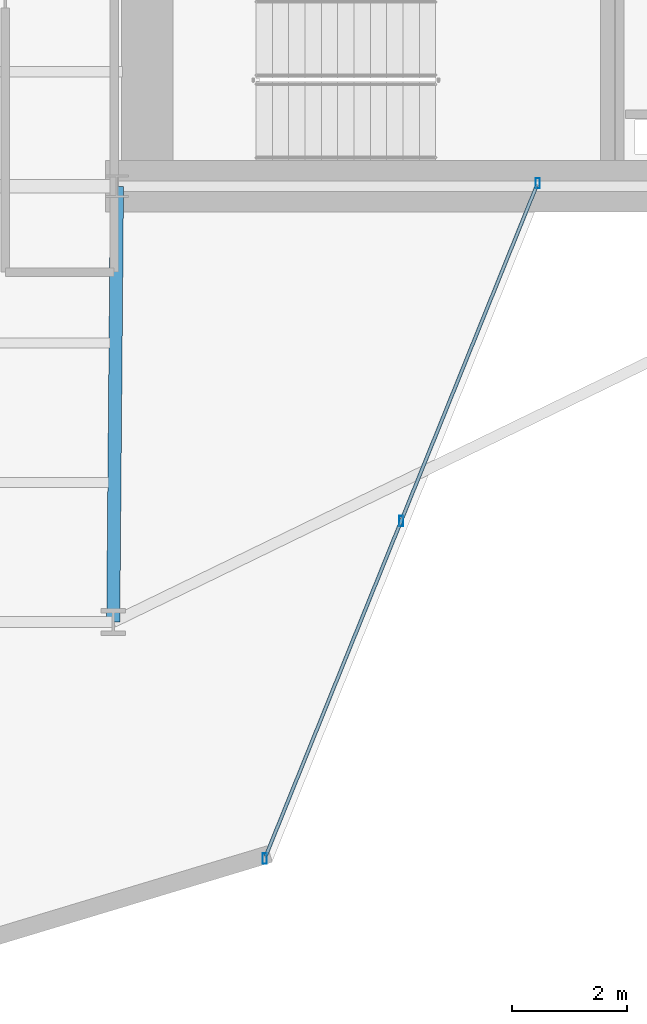
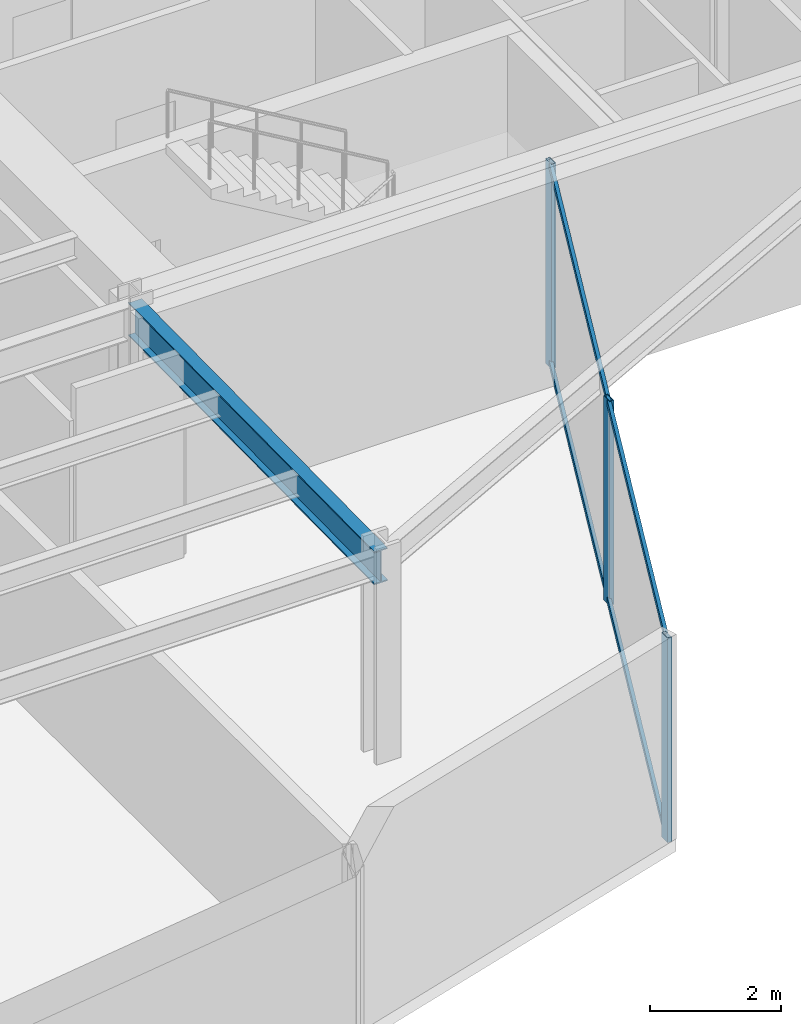
# One storey, part 14 of 30: 5 members, 1 beam, 1 element without a shape of its own.
"""IFC4 building model written with IfcOpenShell, lengths in metres."""

import ifcopenshell
import ifcopenshell.guid

model = None  # the IFC model being written
_history = None  # IfcOwnerHistory: only IFC2X3 demands one
_inside = {}  # id of a spatial element -> (the spatial element, [elements in it])
_under = {}  # id of a project, library or spatial element -> (it, [spatial elements below it])
_declared = {}  # id of a project -> (the project, [libraries it declares])
_typed = {}  # id of a type object -> (the type object, [elements of that type])
_made_of = {}  # id of a material, layer set ... -> (it, [elements and type objects made of it])


def new_model(schema):
    """Start an empty IFC model of exactly this schema.

    Asked for "IFC4X3", IfcOpenShell would pick the latest addendum, in which some entities
    have other attributes; the version numbers below select the first issue.
    IFC2X3 requires an IfcOwnerHistory on every rooted entity: one is made here for all.
    """
    global model, _history
    if schema == "IFC4X3":
        model = ifcopenshell.file(schema_version=(4, 3, 0, 0))
    else:
        model = ifcopenshell.file(schema=schema)
    _inside.clear()
    _under.clear()
    _declared.clear()
    _typed.clear()
    _made_of.clear()
    _history = None
    if model.schema == "IFC2X3":
        org = make("IfcOrganization", Name="unknown")
        user = make(
            "IfcPersonAndOrganization",
            ThePerson=make("IfcPerson", FamilyName="unknown"),
            TheOrganization=org,
        )
        app = make(
            "IfcApplication",
            ApplicationDeveloper=org,
            Version="unknown",
            ApplicationFullName="unknown",
            ApplicationIdentifier="unknown",
        )
        _history = make(
            "IfcOwnerHistory",
            OwningUser=user,
            OwningApplication=app,
            ChangeAction="ADDED",
            CreationDate=0,
        )
    return model


def make(cls, **values):
    """One entity of the class cls with the attributes given. An attribute that is None is left unset."""
    return model.create_entity(
        cls, **{name: value for name, value in values.items() if value is not None}
    )


def rooted(cls, **values):
    """An entity with a GlobalId (a new one), such as an element, a storey or a relation."""
    return make(cls, GlobalId=ifcopenshell.guid.new(), OwnerHistory=_history, **values)


def si_unit(unit_type, name, prefix=None):
    """IfcSIUnit, for example si_unit("LENGTHUNIT", "METRE", prefix="MILLI")."""
    return make("IfcSIUnit", UnitType=unit_type, Prefix=prefix, Name=name)


def assignment(units):
    """IfcUnitAssignment: the units of a project."""
    return None if units is None else make("IfcUnitAssignment", Units=units)


def point(xyz):
    """IfcCartesianPoint."""
    return None if xyz is None else make("IfcCartesianPoint", Coordinates=xyz)


def direction(xyz):
    """IfcDirection."""
    return None if xyz is None else make("IfcDirection", DirectionRatios=xyz)


def frame(location, z_axis=None, x_axis=None):
    """IfcAxis2Placement3D, a coordinate frame: its origin and axes. An axis left out is left unset."""
    return make(
        "IfcAxis2Placement3D",
        Location=point(location),
        Axis=direction(z_axis),
        RefDirection=direction(x_axis),
    )


def frame_2d(location, x_axis=None):
    """IfcAxis2Placement2D, a coordinate frame in the plane: its origin and x axis."""
    return make(
        "IfcAxis2Placement2D", Location=point(location), RefDirection=direction(x_axis)
    )


def origin():
    """The frame at (0, 0, 0) with its axes left unset."""
    return frame((0.0, 0.0, 0.0))


def origin_2d():
    """The frame at (0, 0) in the plane with its x axis left unset."""
    return frame_2d((0.0, 0.0))


def place(relative_to, where):
    """IfcLocalPlacement: puts the frame where relative to a parent placement (None: the world)."""
    return make(
        "IfcLocalPlacement", PlacementRelTo=relative_to, RelativePlacement=where
    )


def context(
    kind, dimensions, precision=None, world=None, true_north=None, identifier=None
):
    """IfcGeometricRepresentationContext, for example the 3D "Model" context."""
    return make(
        "IfcGeometricRepresentationContext",
        ContextIdentifier=identifier,
        ContextType=kind,
        CoordinateSpaceDimension=dimensions,
        Precision=precision,
        WorldCoordinateSystem=world,
        TrueNorth=true_north,
    )


def subcontext(parent, identifier, kind, view, scale=None):
    """IfcGeometricRepresentationSubContext, for example "Body" below "Model"."""
    return make(
        "IfcGeometricRepresentationSubContext",
        ContextIdentifier=identifier,
        ContextType=kind,
        ParentContext=parent,
        TargetScale=scale,
        TargetView=view,
    )


def project(units=None, contexts=None):
    """IfcProject with its units and contexts."""
    return rooted(
        "IfcProject",
        Name="project",
        RepresentationContexts=contexts,
        UnitsInContext=assignment(units),
    )


def spatial(cls, under=None, at=None, **own):
    """A site, building, storey or space (cls), placed at a placement, below another one or the project."""
    s = rooted(cls, ObjectPlacement=at, **own)
    if under is not None:
        _under.setdefault(under.id(), (under, []))[1].append(s)
    return s


def profile(cls, at=None, kind="AREA", **sizes):
    """A parametric profile (cls). Its sizes go by their IFC names, for example OverallWidth=200.0."""
    return make(cls, ProfileType=kind, Position=at, **sizes)


def hollow_rectangle(**sizes):
    """IfcRectangleHollowProfileDef."""
    return profile("IfcRectangleHollowProfileDef", **sizes)


def i_section(**sizes):
    """IfcIShapeProfileDef."""
    return profile("IfcIShapeProfileDef", **sizes)


def extrude(swept, where, along, depth):
    """IfcExtrudedAreaSolid: the profile swept, set in the frame where, extruded along a direction by depth."""
    return make(
        "IfcExtrudedAreaSolid",
        SweptArea=swept,
        Position=where,
        ExtrudedDirection=direction(along),
        Depth=depth,
    )


def shape(context_of_items, identifier, shape_type, items):
    """IfcShapeRepresentation: the items that make up one representation, for example the "Body"."""
    return make(
        "IfcShapeRepresentation",
        ContextOfItems=context_of_items,
        RepresentationIdentifier=identifier,
        RepresentationType=shape_type,
        Items=items,
    )


def material(Name=None, Category=None):
    """IfcMaterial."""
    return make("IfcMaterial", Name=Name, Category=Category)


def layer(
    of_material, thickness, ventilated=None, Name=None, Category=None, Priority=None
):
    """IfcMaterialLayer: one layer of a wall or slab, of a material (None: an air gap)."""
    return make(
        "IfcMaterialLayer",
        Material=of_material,
        LayerThickness=thickness,
        IsVentilated=ventilated,
        Name=Name,
        Category=Category,
        Priority=Priority,
    )


def layer_set(layers, Name=None):
    """IfcMaterialLayerSet."""
    return make("IfcMaterialLayerSet", MaterialLayers=layers, LayerSetName=Name)


def material_profile(
    of_material, cross_section, Name=None, Category=None, Priority=None
):
    """IfcMaterialProfile: a cross section and its material."""
    return make(
        "IfcMaterialProfile",
        Name=Name,
        Material=of_material,
        Profile=cross_section,
        Priority=Priority,
        Category=Category,
    )


def profile_set(profiles, Name=None, composite=None):
    """IfcMaterialProfileSet."""
    return make(
        "IfcMaterialProfileSet",
        Name=Name,
        MaterialProfiles=profiles,
        CompositeProfile=composite,
    )


def made_of(thing, what):
    """Note that an element or type object is made of a material, layer set ...; save() writes the relation."""
    if what is not None:
        _made_of.setdefault(what.id(), (what, []))[1].append(thing)
    return thing


def type_object(cls, material=None, **own):
    """A type object (cls), such as IfcWallType, which elements share."""
    return made_of(rooted(cls, **own), material)


def element(
    cls,
    number,
    at=None,
    inside=None,
    cuts=None,
    type_object=None,
    material=None,
    context=None,
    identifier="Body",
    shape_type=None,
    held_by="IfcProductDefinitionShape",
    body=None,
    shapes=None,
    **own,
):
    """One element of the class cls, such as IfcWall. Its Tag is "e" and its number.

    at: its placement. inside: the storey or other place that contains it. cuts: it is an
    opening in that element (IfcRelVoidsElement). A single representation is given by context,
    identifier, shape_type and body (its items); several are given by shapes. held_by: the class
    of the entity that holds the representations. save() writes the other relations.
    """
    e = rooted(cls, Tag="e%d" % number, ObjectPlacement=at, **own)
    if body is not None:
        shapes = [shape(context, identifier, shape_type, body)]
    if shapes is not None:
        e.Representation = make(held_by, Representations=shapes)
    if inside is not None:
        _inside.setdefault(inside.id(), (inside, []))[1].append(e)
    if cuts is not None:
        rooted(
            "IfcRelVoidsElement", RelatingBuildingElement=cuts, RelatedOpeningElement=e
        )
    if type_object is not None:
        _typed.setdefault(type_object.id(), (type_object, []))[1].append(e)
    return made_of(e, material)


def aggregate(whole, parts):
    """IfcRelAggregates: a whole, such as a stair, and the parts it consists of."""
    return rooted("IfcRelAggregates", RelatingObject=whole, RelatedObjects=parts)


def save(model, path):
    """Write the relations noted so far, then the file.

    IfcRelAggregates (storeys below a building ...), IfcRelContainedInSpatialStructure (elements
    in a storey), IfcRelDefinesByType, IfcRelAssociatesMaterial and IfcRelDeclares: one each for
    every whole, place, type object, material and project.
    """
    for whole, parts in _under.values():
        aggregate(whole, parts)
    for where, things in _inside.values():
        rooted(
            "IfcRelContainedInSpatialStructure",
            RelatedElements=things,
            RelatingStructure=where,
        )
    for kind, things in _typed.values():
        rooted("IfcRelDefinesByType", RelatedObjects=things, RelatingType=kind)
    for what, things in _made_of.values():
        rooted("IfcRelAssociatesMaterial", RelatedObjects=things, RelatingMaterial=what)
    for by, libraries in _declared.values():
        rooted("IfcRelDeclares", RelatingContext=by, RelatedDefinitions=libraries)
    model.write(path)


model = new_model("IFC4")

# Units and contexts
model_context = context("Model", 3, precision=1e-05, world=origin(), true_north=direction((0.0, 1.0)))
body_context = subcontext(model_context, "Body", "Model", "MODEL_VIEW")
ifc_project = project(units=[si_unit("LENGTHUNIT", "METRE"), si_unit("AREAUNIT", "SQUARE_METRE"), si_unit("VOLUMEUNIT", "CUBIC_METRE"), si_unit("PLANEANGLEUNIT", "RADIAN"), si_unit("MASSUNIT", "GRAM", prefix="KILO")], contexts=[model_context])

# Site, building, storey
site_placement = place(None, origin())
site = spatial("IfcSite", under=ifc_project, at=site_placement, CompositionType="ELEMENT")
building_placement = place(site_placement, origin())
building = spatial("IfcBuilding", under=site, at=building_placement, Name="Veymaron Broadcast Tower", CompositionType="ELEMENT")
storey_placement = place(building_placement, frame((0.0, 0.0, 66.14990234375)))
storey = spatial("IfcBuildingStorey", under=building, at=storey_placement, Name="L14", CompositionType="ELEMENT", Elevation=66.14990234375)

# Beam
ifc_material_1 = material(Name="Structural steel ASTM A992 Gr 50", Category="steel")
ifc_material_profile_1 = material_profile(ifc_material_1, i_section(OverallWidth=0.22998046875, OverallDepth=0.616943359375, WebThickness=0.01318359375, FlangeThickness=0.022216796875, at=origin_2d()), Name="W610X140")
ifc_profile_set_1 = profile_set([ifc_material_profile_1], Name="Structural steel ASTM A992 Gr 50")
beam_type = type_object("IfcBeamType", Name="BM-FG1", PredefinedType="BEAM", material=ifc_profile_set_1)
beam_placement = place(storey_placement, frame((39.0, 16.0, 3.501708984375), z_axis=(-0.008533262174, -0.999963591056, 0.0), x_axis=(0.999963591056, -0.008533262174, 0.0)))
element("IfcBeam", 1, at=beam_placement, inside=storey, type_object=beam_type, Name="L14 primary structural floor girder", PredefinedType="BEAM", context=body_context, shape_type="SweptSolid", body=[
    extrude(i_section(OverallWidth=0.22998046875, OverallDepth=0.616943359375, WebThickness=0.01318359375, FlangeThickness=0.022216796875, at=origin_2d()), origin(), (0.0, 0.0, 1.0), 7.6103515625),
])

# Curtain wall, members
ifc_material_2 = material(Name="Anodised aluminium AA 6063-T6 and laminated low-E dark glass", Category="aluminium")
ifc_layer = layer(ifc_material_2, 0.179931640625)
ifc_layer_set = layer_set([ifc_layer], Name="Anodised aluminium AA 6063-T6 and laminated low-E dark glass")
curtain_wall_type = type_object("IfcCurtainWallType", Name="CW-SYS-02", PredefinedType="NOTDEFINED", material=ifc_layer_set)
curtain_wall_placement = place(storey_placement, origin())
curtain_wall = element("IfcCurtainWall", 2, at=curtain_wall_placement, inside=storey, type_object=curtain_wall_type, Name="L14 dark-glass curtain wall CW-L14-E20-1", PredefinedType="NOTDEFINED")
ifc_material_3 = material(Name="Anodised aluminium AA 6063-T6", Category="aluminium")
ifc_material_profile_2 = material_profile(ifc_material_3, hollow_rectangle(XDim=0.074951171875, YDim=0.179931640625, WallThickness=0.0048828125, at=origin_2d()), Name="AL180X75X5")
ifc_profile_set_2 = profile_set([ifc_material_profile_2], Name="Anodised aluminium AA 6063-T6")
member_type_1 = type_object("IfcMemberType", Name="CW-MUL-02", PredefinedType="MULLION", material=ifc_profile_set_2)
member_1_placement = place(storey_placement, frame((41.580322265625, 4.258544921875, 0.0), z_axis=(0.0, 0.0, 1.0), x_axis=(1.0, 0.0, 0.0)))
member_1 = element("IfcMember", 3, at=member_1_placement, type_object=member_type_1, Name="CW-L14-E20-1 mullion 0", PredefinedType="MULLION", context=body_context, shape_type="SweptSolid", body=[
    extrude(hollow_rectangle(XDim=0.074951171875, YDim=0.179931640625, WallThickness=0.0048828125, at=origin_2d()), origin(), (0.0, 0.0, 1.0), 3.81005859375),
])
member_2_placement = place(storey_placement, frame((43.963623046875, 10.155517578125, 0.0), z_axis=(0.0, 0.0, 1.0), x_axis=(1.0, 0.0, 0.0)))
member_2 = element("IfcMember", 4, at=member_2_placement, type_object=member_type_1, Name="CW-L14-E20-1 mullion 1", PredefinedType="MULLION", context=body_context, shape_type="SweptSolid", body=[
    extrude(hollow_rectangle(XDim=0.074951171875, YDim=0.179931640625, WallThickness=0.0048828125, at=origin_2d()), origin(), (0.0, 0.0, 1.0), 3.81005859375),
])
member_3_placement = place(storey_placement, frame((46.346923828125, 16.052490234375, 0.0), z_axis=(0.0, 0.0, 1.0), x_axis=(1.0, 0.0, 0.0)))
member_3 = element("IfcMember", 5, at=member_3_placement, type_object=member_type_1, Name="CW-L14-E20-1 mullion 2", PredefinedType="MULLION", context=body_context, shape_type="SweptSolid", body=[
    extrude(hollow_rectangle(XDim=0.074951171875, YDim=0.179931640625, WallThickness=0.0048828125, at=origin_2d()), origin(), (0.0, 0.0, 1.0), 3.81005859375),
])
ifc_material_profile_3 = material_profile(ifc_material_3, hollow_rectangle(XDim=0.06005859375, YDim=0.1201171875, WallThickness=0.00390625, at=origin_2d()), Name="AL120X60X4")
ifc_profile_set_3 = profile_set([ifc_material_profile_3], Name="Anodised aluminium AA 6063-T6")
member_type_2 = type_object("IfcMemberType", Name="CW-TRN-02", PredefinedType="USERDEFINED", material=ifc_profile_set_3)
member_4_placement = place(storey_placement, frame((41.59912109375, 4.304931640625, 0.070068359375), z_axis=(0.374703561178, 0.927144671149, 0.0), x_axis=(-0.927144671149, 0.374703561178, 0.0)))
member_4 = element("IfcMember", 6, at=member_4_placement, type_object=member_type_2, Name="CW-L14-E20-1 transom B", ObjectType="TRANSOM", PredefinedType="USERDEFINED", context=body_context, shape_type="SweptSolid", body=[
    extrude(hollow_rectangle(XDim=0.06005859375, YDim=0.1201171875, WallThickness=0.00390625, at=origin_2d()), origin(), (0.0, 0.0, 1.0), 12.62060546875),
])
member_5_placement = place(storey_placement, frame((41.59912109375, 4.304931640625, 3.739990234375), z_axis=(0.374703561178, 0.927144671149, 0.0), x_axis=(-0.927144671149, 0.374703561178, 0.0)))
member_5 = element("IfcMember", 7, at=member_5_placement, type_object=member_type_2, Name="CW-L14-E20-1 transom T", ObjectType="TRANSOM", PredefinedType="USERDEFINED", context=body_context, shape_type="SweptSolid", body=[
    extrude(hollow_rectangle(XDim=0.06005859375, YDim=0.1201171875, WallThickness=0.00390625, at=origin_2d()), origin(), (0.0, 0.0, 1.0), 12.62060546875),
])
aggregate(curtain_wall, [member_1, member_2, member_3, member_4, member_5])

save(model, "model.ifc")
